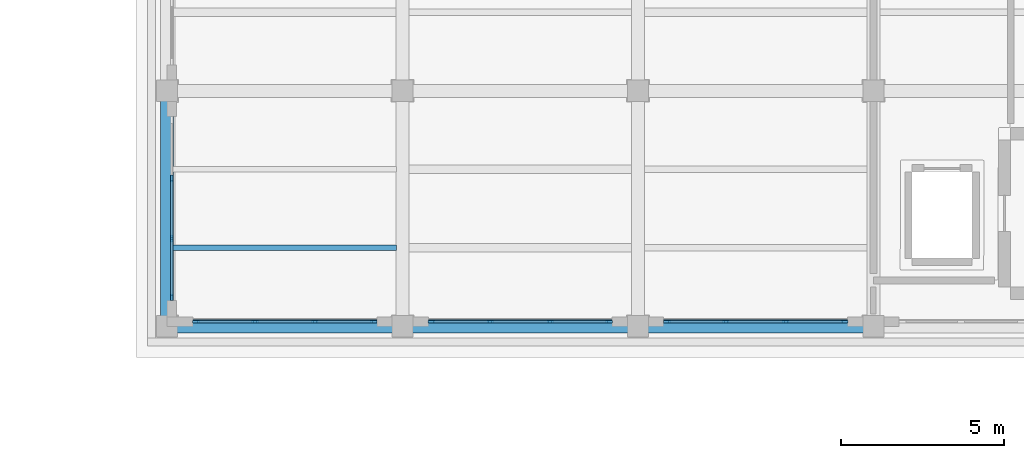
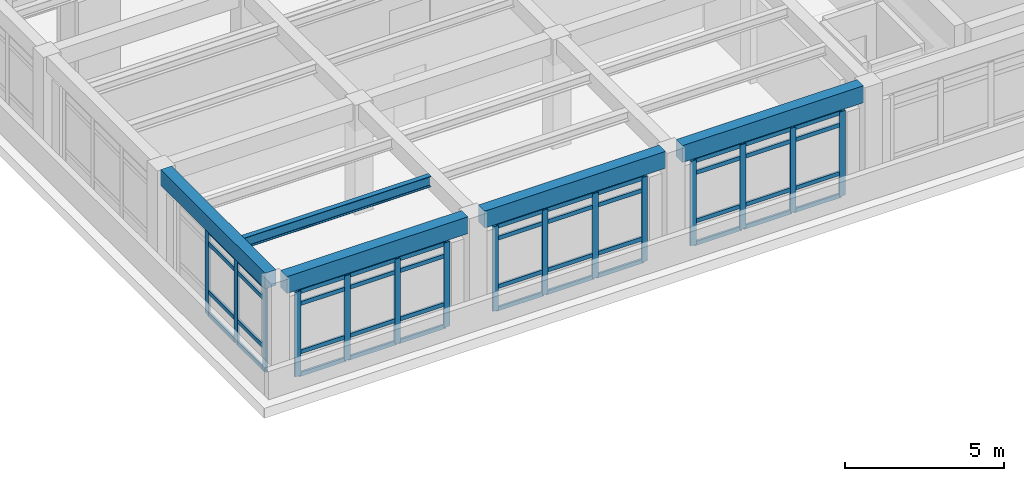
# One storey, part 22 of 55: 59 members, 5 beams, 4 elements without a shape of their own.
"""IFC4 building model written with IfcOpenShell, lengths in metres."""

import ifcopenshell
import ifcopenshell.guid

model = None  # the IFC model being written
_history = None  # IfcOwnerHistory: only IFC2X3 demands one
_inside = {}  # id of a spatial element -> (the spatial element, [elements in it])
_under = {}  # id of a project, library or spatial element -> (it, [spatial elements below it])
_declared = {}  # id of a project -> (the project, [libraries it declares])
_typed = {}  # id of a type object -> (the type object, [elements of that type])
_made_of = {}  # id of a material, layer set ... -> (it, [elements and type objects made of it])


def new_model(schema):
    """Start an empty IFC model of exactly this schema.

    Asked for "IFC4X3", IfcOpenShell would pick the latest addendum, in which some entities
    have other attributes; the version numbers below select the first issue.
    IFC2X3 requires an IfcOwnerHistory on every rooted entity: one is made here for all.
    """
    global model, _history
    if schema == "IFC4X3":
        model = ifcopenshell.file(schema_version=(4, 3, 0, 0))
    else:
        model = ifcopenshell.file(schema=schema)
    _inside.clear()
    _under.clear()
    _declared.clear()
    _typed.clear()
    _made_of.clear()
    _history = None
    if model.schema == "IFC2X3":
        org = make("IfcOrganization", Name="unknown")
        user = make(
            "IfcPersonAndOrganization",
            ThePerson=make("IfcPerson", FamilyName="unknown"),
            TheOrganization=org,
        )
        app = make(
            "IfcApplication",
            ApplicationDeveloper=org,
            Version="unknown",
            ApplicationFullName="unknown",
            ApplicationIdentifier="unknown",
        )
        _history = make(
            "IfcOwnerHistory",
            OwningUser=user,
            OwningApplication=app,
            ChangeAction="ADDED",
            CreationDate=0,
        )
    return model


def make(cls, **values):
    """One entity of the class cls with the attributes given. An attribute that is None is left unset."""
    return model.create_entity(
        cls, **{name: value for name, value in values.items() if value is not None}
    )


def rooted(cls, **values):
    """An entity with a GlobalId (a new one), such as an element, a storey or a relation."""
    return make(cls, GlobalId=ifcopenshell.guid.new(), OwnerHistory=_history, **values)


def si_unit(unit_type, name, prefix=None):
    """IfcSIUnit, for example si_unit("LENGTHUNIT", "METRE", prefix="MILLI")."""
    return make("IfcSIUnit", UnitType=unit_type, Prefix=prefix, Name=name)


def assignment(units):
    """IfcUnitAssignment: the units of a project."""
    return None if units is None else make("IfcUnitAssignment", Units=units)


def point(xyz):
    """IfcCartesianPoint."""
    return None if xyz is None else make("IfcCartesianPoint", Coordinates=xyz)


def direction(xyz):
    """IfcDirection."""
    return None if xyz is None else make("IfcDirection", DirectionRatios=xyz)


def frame(location, z_axis=None, x_axis=None):
    """IfcAxis2Placement3D, a coordinate frame: its origin and axes. An axis left out is left unset."""
    return make(
        "IfcAxis2Placement3D",
        Location=point(location),
        Axis=direction(z_axis),
        RefDirection=direction(x_axis),
    )


def frame_2d(location, x_axis=None):
    """IfcAxis2Placement2D, a coordinate frame in the plane: its origin and x axis."""
    return make(
        "IfcAxis2Placement2D", Location=point(location), RefDirection=direction(x_axis)
    )


def origin():
    """The frame at (0, 0, 0) with its axes left unset."""
    return frame((0.0, 0.0, 0.0))


def origin_2d():
    """The frame at (0, 0) in the plane with its x axis left unset."""
    return frame_2d((0.0, 0.0))


def place(relative_to, where):
    """IfcLocalPlacement: puts the frame where relative to a parent placement (None: the world)."""
    return make(
        "IfcLocalPlacement", PlacementRelTo=relative_to, RelativePlacement=where
    )


def context(
    kind, dimensions, precision=None, world=None, true_north=None, identifier=None
):
    """IfcGeometricRepresentationContext, for example the 3D "Model" context."""
    return make(
        "IfcGeometricRepresentationContext",
        ContextIdentifier=identifier,
        ContextType=kind,
        CoordinateSpaceDimension=dimensions,
        Precision=precision,
        WorldCoordinateSystem=world,
        TrueNorth=true_north,
    )


def subcontext(parent, identifier, kind, view, scale=None):
    """IfcGeometricRepresentationSubContext, for example "Body" below "Model"."""
    return make(
        "IfcGeometricRepresentationSubContext",
        ContextIdentifier=identifier,
        ContextType=kind,
        ParentContext=parent,
        TargetScale=scale,
        TargetView=view,
    )


def project(units=None, contexts=None):
    """IfcProject with its units and contexts."""
    return rooted(
        "IfcProject",
        Name="project",
        RepresentationContexts=contexts,
        UnitsInContext=assignment(units),
    )


def spatial(cls, under=None, at=None, **own):
    """A site, building, storey or space (cls), placed at a placement, below another one or the project."""
    s = rooted(cls, ObjectPlacement=at, **own)
    if under is not None:
        _under.setdefault(under.id(), (under, []))[1].append(s)
    return s


def profile(cls, at=None, kind="AREA", **sizes):
    """A parametric profile (cls). Its sizes go by their IFC names, for example OverallWidth=200.0."""
    return make(cls, ProfileType=kind, Position=at, **sizes)


def rectangle(**sizes):
    """IfcRectangleProfileDef."""
    return profile("IfcRectangleProfileDef", **sizes)


def i_section(**sizes):
    """IfcIShapeProfileDef."""
    return profile("IfcIShapeProfileDef", **sizes)


def extrude(swept, where, along, depth):
    """IfcExtrudedAreaSolid: the profile swept, set in the frame where, extruded along a direction by depth."""
    return make(
        "IfcExtrudedAreaSolid",
        SweptArea=swept,
        Position=where,
        ExtrudedDirection=direction(along),
        Depth=depth,
    )


def shape(context_of_items, identifier, shape_type, items):
    """IfcShapeRepresentation: the items that make up one representation, for example the "Body"."""
    return make(
        "IfcShapeRepresentation",
        ContextOfItems=context_of_items,
        RepresentationIdentifier=identifier,
        RepresentationType=shape_type,
        Items=items,
    )


def material(Name=None, Category=None):
    """IfcMaterial."""
    return make("IfcMaterial", Name=Name, Category=Category)


def layer(
    of_material, thickness, ventilated=None, Name=None, Category=None, Priority=None
):
    """IfcMaterialLayer: one layer of a wall or slab, of a material (None: an air gap)."""
    return make(
        "IfcMaterialLayer",
        Material=of_material,
        LayerThickness=thickness,
        IsVentilated=ventilated,
        Name=Name,
        Category=Category,
        Priority=Priority,
    )


def layer_set(layers, Name=None):
    """IfcMaterialLayerSet."""
    return make("IfcMaterialLayerSet", MaterialLayers=layers, LayerSetName=Name)


def material_profile(
    of_material, cross_section, Name=None, Category=None, Priority=None
):
    """IfcMaterialProfile: a cross section and its material."""
    return make(
        "IfcMaterialProfile",
        Name=Name,
        Material=of_material,
        Profile=cross_section,
        Priority=Priority,
        Category=Category,
    )


def profile_set(profiles, Name=None, composite=None):
    """IfcMaterialProfileSet."""
    return make(
        "IfcMaterialProfileSet",
        Name=Name,
        MaterialProfiles=profiles,
        CompositeProfile=composite,
    )


def made_of(thing, what):
    """Note that an element or type object is made of a material, layer set ...; save() writes the relation."""
    if what is not None:
        _made_of.setdefault(what.id(), (what, []))[1].append(thing)
    return thing


def type_object(cls, material=None, **own):
    """A type object (cls), such as IfcWallType, which elements share."""
    return made_of(rooted(cls, **own), material)


def element(
    cls,
    number,
    at=None,
    inside=None,
    cuts=None,
    type_object=None,
    material=None,
    context=None,
    identifier="Body",
    shape_type=None,
    held_by="IfcProductDefinitionShape",
    body=None,
    shapes=None,
    **own,
):
    """One element of the class cls, such as IfcWall. Its Tag is "e" and its number.

    at: its placement. inside: the storey or other place that contains it. cuts: it is an
    opening in that element (IfcRelVoidsElement). A single representation is given by context,
    identifier, shape_type and body (its items); several are given by shapes. held_by: the class
    of the entity that holds the representations. save() writes the other relations.
    """
    e = rooted(cls, Tag="e%d" % number, ObjectPlacement=at, **own)
    if body is not None:
        shapes = [shape(context, identifier, shape_type, body)]
    if shapes is not None:
        e.Representation = make(held_by, Representations=shapes)
    if inside is not None:
        _inside.setdefault(inside.id(), (inside, []))[1].append(e)
    if cuts is not None:
        rooted(
            "IfcRelVoidsElement", RelatingBuildingElement=cuts, RelatedOpeningElement=e
        )
    if type_object is not None:
        _typed.setdefault(type_object.id(), (type_object, []))[1].append(e)
    return made_of(e, material)


def aggregate(whole, parts):
    """IfcRelAggregates: a whole, such as a stair, and the parts it consists of."""
    return rooted("IfcRelAggregates", RelatingObject=whole, RelatedObjects=parts)


def save(model, path):
    """Write the relations noted so far, then the file.

    IfcRelAggregates (storeys below a building ...), IfcRelContainedInSpatialStructure (elements
    in a storey), IfcRelDefinesByType, IfcRelAssociatesMaterial and IfcRelDeclares: one each for
    every whole, place, type object, material and project.
    """
    for whole, parts in _under.values():
        aggregate(whole, parts)
    for where, things in _inside.values():
        rooted(
            "IfcRelContainedInSpatialStructure",
            RelatedElements=things,
            RelatingStructure=where,
        )
    for kind, things in _typed.values():
        rooted("IfcRelDefinesByType", RelatedObjects=things, RelatingType=kind)
    for what, things in _made_of.values():
        rooted("IfcRelAssociatesMaterial", RelatedObjects=things, RelatingMaterial=what)
    for by, libraries in _declared.values():
        rooted("IfcRelDeclares", RelatingContext=by, RelatedDefinitions=libraries)
    model.write(path)


model = new_model("IFC4")

# Units and contexts
model_context = context("Model", 3, precision=1e-05, world=origin(), true_north=direction((0.0, 1.0)))
body_context = subcontext(model_context, "Body", "Model", "MODEL_VIEW")
ifc_project = project(units=[si_unit("LENGTHUNIT", "METRE"), si_unit("AREAUNIT", "SQUARE_METRE"), si_unit("VOLUMEUNIT", "CUBIC_METRE"), si_unit("PLANEANGLEUNIT", "RADIAN"), si_unit("MASSUNIT", "GRAM", prefix="KILO")], contexts=[model_context])

# Site, building, storey
site_placement = place(None, origin())
site = spatial("IfcSite", under=ifc_project, at=site_placement, CompositionType="ELEMENT")
building_placement = place(site_placement, origin())
building = spatial("IfcBuilding", under=site, at=building_placement, Name="Solenvale Faculty of Natural Sciences", CompositionType="ELEMENT")
storey_placement = place(building_placement, frame((0.0, 0.0, 22.5)))
storey = spatial("IfcBuildingStorey", under=building, at=storey_placement, Name="L05", CompositionType="ELEMENT", Elevation=22.5)

# Beams
ifc_material_1 = material(Name="Concrete 40 MPa", Category="concrete")
ifc_material_profile_1 = material_profile(ifc_material_1, rectangle(XDim=0.39990234375, YDim=0.60009765625, at=origin_2d()), Name="RC-BM-400x600")
ifc_profile_set_1 = profile_set([ifc_material_profile_1], Name="Concrete 40 MPa")
beam_type_1 = type_object("IfcBeamType", Name="BM-RC-400x600", PredefinedType="BEAM", material=ifc_profile_set_1)
beam_1_placement = place(storey_placement, frame((79.199951171875, 93.905029296875, 3.919921875), z_axis=(0.0, 1.0, 0.0), x_axis=(-1.0, 0.0, 0.0)))
element("IfcBeam", 1, at=beam_1_placement, inside=storey, type_object=beam_type_1, Name="L05 Y-Girder X79.2 (93.6..100.8)", PredefinedType="BEAM", context=body_context, shape_type="SweptSolid", body=[
    extrude(rectangle(XDim=0.39990234375, YDim=0.60009765625, at=origin_2d()), origin(), (0.0, 0.0, 1.0), 6.590087890625),
])
ifc_material_profile_2 = material_profile(ifc_material_1, rectangle(XDim=0.39990234375, YDim=0.64990234375, at=origin_2d()), Name="RC-BM-400x650")
ifc_profile_set_2 = profile_set([ifc_material_profile_2], Name="Concrete 40 MPa")
beam_type_2 = type_object("IfcBeamType", Name="BM-RC-400x650", PredefinedType="BEAM", material=ifc_profile_set_2)
beam_2_placement = place(storey_placement, frame((79.5048828125, 93.60009765625, 3.89501953125), z_axis=(1.0, 0.0, 0.0), x_axis=(0.0, 1.0, 0.0)))
element("IfcBeam", 2, at=beam_2_placement, inside=storey, type_object=beam_type_2, Name="L05 X-Girder Y93.6 (79.2..86.4)", PredefinedType="BEAM", context=body_context, shape_type="SweptSolid", body=[
    extrude(rectangle(XDim=0.39990234375, YDim=0.64990234375, at=origin_2d()), origin(), (0.0, 0.0, 1.0), 6.590087890625),
])
beam_3_placement = place(storey_placement, frame((86.705078125, 93.60009765625, 3.89501953125), z_axis=(1.0, 0.0, 0.0), x_axis=(0.0, 1.0, 0.0)))
element("IfcBeam", 3, at=beam_3_placement, inside=storey, type_object=beam_type_2, Name="L05 X-Girder Y93.6 (86.4..93.6)", PredefinedType="BEAM", context=body_context, shape_type="SweptSolid", body=[
    extrude(rectangle(XDim=0.39990234375, YDim=0.64990234375, at=origin_2d()), origin(), (0.0, 0.0, 1.0), 6.58984375),
])
beam_4_placement = place(storey_placement, frame((93.905029296875, 93.60009765625, 3.89501953125), z_axis=(1.0, 0.0, 0.0), x_axis=(0.0, 1.0, 0.0)))
element("IfcBeam", 4, at=beam_4_placement, inside=storey, type_object=beam_type_2, Name="L05 X-Girder Y93.6 (93.6..100.8)", PredefinedType="BEAM", context=body_context, shape_type="SweptSolid", body=[
    extrude(rectangle(XDim=0.39990234375, YDim=0.64990234375, at=origin_2d()), origin(), (0.0, 0.0, 1.0), 6.590087890625),
])
ifc_material_2 = material(Name="Steel S355", Category="steel")
ifc_material_profile_3 = material_profile(ifc_material_2, i_section(OverallWidth=0.178955078125, OverallDepth=0.409912109375, WebThickness=0.0087890625, FlangeThickness=0.014404296875, FilletRadius=0.01611328125, at=origin_2d()), Name="W410x67")
ifc_profile_set_3 = profile_set([ifc_material_profile_3], Name="Steel S355")
beam_type_3 = type_object("IfcBeamType", Name="BM-STL-W410x67", PredefinedType="JOIST", material=ifc_profile_set_3)
beam_5_placement = place(storey_placement, frame((79.3798828125, 96.0, 4.014892578125), z_axis=(1.0, 0.0, 0.0), x_axis=(0.0, 1.0, 0.0)))
element("IfcBeam", 5, at=beam_5_placement, inside=storey, type_object=beam_type_3, Name="L05 Composite Floor Joist (12,14).1", PredefinedType="JOIST", context=body_context, shape_type="SweptSolid", body=[
    extrude(i_section(OverallWidth=0.178955078125, OverallDepth=0.409912109375, WebThickness=0.0087890625, FlangeThickness=0.014404296875, FilletRadius=0.01611328125, at=origin_2d()), origin(), (0.0, 0.0, 1.0), 6.840087890625),
])

# Curtain wall, members
ifc_material_3 = material(Name="Anodised bronze aluminium", Category="aluminium")
ifc_layer = layer(ifc_material_3, 0.179931640625)
ifc_layer_set = layer_set([ifc_layer], Name="Anodised bronze aluminium")
curtain_wall_type = type_object("IfcCurtainWallType", Name="CW-TWR-MOD", PredefinedType="USERDEFINED", material=ifc_layer_set)
curtain_wall_1_placement = place(storey_placement, origin())
curtain_wall_1 = element("IfcCurtainWall", 6, at=curtain_wall_1_placement, inside=storey, type_object=curtain_wall_type, Name="L05 Curtain Wall CW-L05-P2-E4-B3", ObjectType="UNITISED CURTAIN WALL", PredefinedType="USERDEFINED")
ifc_material_profile_4 = material_profile(ifc_material_3, rectangle(XDim=0.074951171875, YDim=0.2099609375, at=origin_2d()), Name="ALU-MUL-75x210")
ifc_profile_set_4 = profile_set([ifc_material_profile_4], Name="Anodised bronze aluminium")
member_type_1 = type_object("IfcMemberType", Name="CWM-ALU-75x210", PredefinedType="MULLION", material=ifc_profile_set_4)
member_1_placement = place(storey_placement, frame((79.342529296875, 98.11669921875, 0.0), z_axis=(0.0, 0.0, 1.0), x_axis=(1.0, 0.0, 0.0)))
member_1 = element("IfcMember", 7, at=member_1_placement, type_object=member_type_1, Name="CW-04 mullion 2", PredefinedType="MULLION", context=body_context, shape_type="SweptSolid", body=[
    extrude(rectangle(XDim=0.074951171875, YDim=0.2099609375, at=origin_2d()), origin(), (0.0, 0.0, 1.0), 3.260009765625),
])
member_2_placement = place(storey_placement, frame((79.342529296875, 96.283447265625, 0.0), z_axis=(0.0, 0.0, 1.0), x_axis=(1.0, 0.0, 0.0)))
member_2 = element("IfcMember", 8, at=member_2_placement, type_object=member_type_1, Name="CW-04 mullion 3", PredefinedType="MULLION", context=body_context, shape_type="SweptSolid", body=[
    extrude(rectangle(XDim=0.074951171875, YDim=0.2099609375, at=origin_2d()), origin(), (0.0, 0.0, 1.0), 3.260009765625),
])
member_3_placement = place(storey_placement, frame((79.342529296875, 94.487548828125, 0.0), z_axis=(0.0, 0.0, 1.0), x_axis=(1.0, 0.0, 0.0)))
member_3 = element("IfcMember", 9, at=member_3_placement, type_object=member_type_1, Name="CW-04 mullion 4", PredefinedType="MULLION", context=body_context, shape_type="SweptSolid", body=[
    extrude(rectangle(XDim=0.074951171875, YDim=0.2099609375, at=origin_2d()), origin(), (0.0, 0.0, 1.0), 3.260009765625),
])

curtain_wall_2_placement = place(storey_placement, origin())
curtain_wall_2 = element("IfcCurtainWall", 10, at=curtain_wall_2_placement, inside=storey, type_object=curtain_wall_type, Name="L05 Curtain Wall CW-L05-P2-E5-B1", ObjectType="UNITISED CURTAIN WALL", PredefinedType="USERDEFINED")
member_4_placement = place(storey_placement, frame((80.08740234375, 93.742431640625, 0.0), z_axis=(0.0, 0.0, 1.0), x_axis=(0.0, 1.0, 0.0)))
member_4 = element("IfcMember", 11, at=member_4_placement, type_object=member_type_1, Name="CW-04 mullion 1", PredefinedType="MULLION", context=body_context, shape_type="SweptSolid", body=[
    extrude(rectangle(XDim=0.074951171875, YDim=0.2099609375, at=origin_2d()), origin(), (0.0, 0.0, 1.0), 3.260009765625),
])
member_5_placement = place(storey_placement, frame((81.88330078125, 93.742431640625, 0.0), z_axis=(0.0, 0.0, 1.0), x_axis=(0.0, 1.0, 0.0)))
member_5 = element("IfcMember", 12, at=member_5_placement, type_object=member_type_1, Name="CW-04 mullion 2", PredefinedType="MULLION", context=body_context, shape_type="SweptSolid", body=[
    extrude(rectangle(XDim=0.074951171875, YDim=0.2099609375, at=origin_2d()), origin(), (0.0, 0.0, 1.0), 3.260009765625),
])
member_6_placement = place(storey_placement, frame((83.716552734375, 93.742431640625, 0.0), z_axis=(0.0, 0.0, 1.0), x_axis=(0.0, 1.0, 0.0)))
member_6 = element("IfcMember", 13, at=member_6_placement, type_object=member_type_1, Name="CW-04 mullion 3", PredefinedType="MULLION", context=body_context, shape_type="SweptSolid", body=[
    extrude(rectangle(XDim=0.074951171875, YDim=0.2099609375, at=origin_2d()), origin(), (0.0, 0.0, 1.0), 3.260009765625),
])
member_7_placement = place(storey_placement, frame((85.512451171875, 93.742431640625, 0.0), z_axis=(0.0, 0.0, 1.0), x_axis=(0.0, 1.0, 0.0)))
member_7 = element("IfcMember", 14, at=member_7_placement, type_object=member_type_1, Name="CW-04 mullion 4", PredefinedType="MULLION", context=body_context, shape_type="SweptSolid", body=[
    extrude(rectangle(XDim=0.074951171875, YDim=0.2099609375, at=origin_2d()), origin(), (0.0, 0.0, 1.0), 3.260009765625),
])

curtain_wall_3_placement = place(storey_placement, origin())
curtain_wall_3 = element("IfcCurtainWall", 15, at=curtain_wall_3_placement, inside=storey, type_object=curtain_wall_type, Name="L05 Curtain Wall CW-L05-P2-E5-B2", ObjectType="UNITISED CURTAIN WALL", PredefinedType="USERDEFINED")
member_8_placement = place(storey_placement, frame((87.28759765625, 93.742431640625, 0.0), z_axis=(0.0, 0.0, 1.0), x_axis=(0.0, 1.0, 0.0)))
member_8 = element("IfcMember", 16, at=member_8_placement, type_object=member_type_1, Name="CW-04 mullion 1", PredefinedType="MULLION", context=body_context, shape_type="SweptSolid", body=[
    extrude(rectangle(XDim=0.074951171875, YDim=0.2099609375, at=origin_2d()), origin(), (0.0, 0.0, 1.0), 3.260009765625),
])
member_9_placement = place(storey_placement, frame((89.083251953125, 93.742431640625, 0.0), z_axis=(0.0, 0.0, 1.0), x_axis=(0.0, 1.0, 0.0)))
member_9 = element("IfcMember", 17, at=member_9_placement, type_object=member_type_1, Name="CW-04 mullion 2", PredefinedType="MULLION", context=body_context, shape_type="SweptSolid", body=[
    extrude(rectangle(XDim=0.074951171875, YDim=0.2099609375, at=origin_2d()), origin(), (0.0, 0.0, 1.0), 3.260009765625),
])
member_10_placement = place(storey_placement, frame((90.916748046875, 93.742431640625, 0.0), z_axis=(0.0, 0.0, 1.0), x_axis=(0.0, 1.0, 0.0)))
member_10 = element("IfcMember", 18, at=member_10_placement, type_object=member_type_1, Name="CW-04 mullion 3", PredefinedType="MULLION", context=body_context, shape_type="SweptSolid", body=[
    extrude(rectangle(XDim=0.074951171875, YDim=0.2099609375, at=origin_2d()), origin(), (0.0, 0.0, 1.0), 3.260009765625),
])
member_11_placement = place(storey_placement, frame((92.71240234375, 93.742431640625, 0.0), z_axis=(0.0, 0.0, 1.0), x_axis=(0.0, 1.0, 0.0)))
member_11 = element("IfcMember", 19, at=member_11_placement, type_object=member_type_1, Name="CW-04 mullion 4", PredefinedType="MULLION", context=body_context, shape_type="SweptSolid", body=[
    extrude(rectangle(XDim=0.074951171875, YDim=0.2099609375, at=origin_2d()), origin(), (0.0, 0.0, 1.0), 3.260009765625),
])

curtain_wall_4_placement = place(storey_placement, origin())
curtain_wall_4 = element("IfcCurtainWall", 20, at=curtain_wall_4_placement, inside=storey, type_object=curtain_wall_type, Name="L05 Curtain Wall CW-L05-P2-E5-B3", ObjectType="UNITISED CURTAIN WALL", PredefinedType="USERDEFINED")
member_12_placement = place(storey_placement, frame((94.487548828125, 93.742431640625, 0.0), z_axis=(0.0, 0.0, 1.0), x_axis=(0.0, 1.0, 0.0)))
member_12 = element("IfcMember", 21, at=member_12_placement, type_object=member_type_1, Name="CW-04 mullion 1", PredefinedType="MULLION", context=body_context, shape_type="SweptSolid", body=[
    extrude(rectangle(XDim=0.074951171875, YDim=0.2099609375, at=origin_2d()), origin(), (0.0, 0.0, 1.0), 3.260009765625),
])
member_13_placement = place(storey_placement, frame((96.283447265625, 93.742431640625, 0.0), z_axis=(0.0, 0.0, 1.0), x_axis=(0.0, 1.0, 0.0)))
member_13 = element("IfcMember", 22, at=member_13_placement, type_object=member_type_1, Name="CW-04 mullion 2", PredefinedType="MULLION", context=body_context, shape_type="SweptSolid", body=[
    extrude(rectangle(XDim=0.074951171875, YDim=0.2099609375, at=origin_2d()), origin(), (0.0, 0.0, 1.0), 3.260009765625),
])
member_14_placement = place(storey_placement, frame((98.11669921875, 93.742431640625, 0.0), z_axis=(0.0, 0.0, 1.0), x_axis=(0.0, 1.0, 0.0)))
member_14 = element("IfcMember", 23, at=member_14_placement, type_object=member_type_1, Name="CW-04 mullion 3", PredefinedType="MULLION", context=body_context, shape_type="SweptSolid", body=[
    extrude(rectangle(XDim=0.074951171875, YDim=0.2099609375, at=origin_2d()), origin(), (0.0, 0.0, 1.0), 3.260009765625),
])
member_15_placement = place(storey_placement, frame((99.91259765625, 93.742431640625, 0.0), z_axis=(0.0, 0.0, 1.0), x_axis=(0.0, 1.0, 0.0)))
member_15 = element("IfcMember", 24, at=member_15_placement, type_object=member_type_1, Name="CW-04 mullion 4", PredefinedType="MULLION", context=body_context, shape_type="SweptSolid", body=[
    extrude(rectangle(XDim=0.074951171875, YDim=0.2099609375, at=origin_2d()), origin(), (0.0, 0.0, 1.0), 3.260009765625),
])

# Member
ifc_material_profile_5 = material_profile(ifc_material_3, rectangle(XDim=0.074951171875, YDim=0.155029296875, at=origin_2d()), Name="ALU-TRN-75x155")
ifc_profile_set_5 = profile_set([ifc_material_profile_5], Name="Anodised bronze aluminium")
member_type_2 = type_object("IfcMemberType", Name="CWT-ALU-75x155", PredefinedType="USERDEFINED", material=ifc_profile_set_5)
member_16_placement = place(storey_placement, frame((79.342529296875, 98.0791015625, 0.03759765625), z_axis=(0.0, -1.0, 0.0), x_axis=(1.0, 0.0, 0.0)))
member_16 = element("IfcMember", 25, at=member_16_placement, type_object=member_type_2, Name="CW-04 transom 2.1", ObjectType="TRANSOM", PredefinedType="USERDEFINED", context=body_context, shape_type="SweptSolid", body=[
    extrude(rectangle(XDim=0.074951171875, YDim=0.155029296875, at=origin_2d()), origin(), (0.0, 0.0, 1.0), 1.75830078125),
])

member_17_placement = place(storey_placement, frame((79.342529296875, 98.0791015625, 0.89990234375), z_axis=(0.0, -1.0, 0.0), x_axis=(1.0, 0.0, 0.0)))
member_17 = element("IfcMember", 26, at=member_17_placement, type_object=member_type_2, Name="CW-04 transom 2.2", ObjectType="TRANSOM", PredefinedType="USERDEFINED", context=body_context, shape_type="SweptSolid", body=[
    extrude(rectangle(XDim=0.074951171875, YDim=0.155029296875, at=origin_2d()), origin(), (0.0, 0.0, 1.0), 1.75830078125),
])

member_18_placement = place(storey_placement, frame((79.342529296875, 98.0791015625, 2.760009765625), z_axis=(0.0, -1.0, 0.0), x_axis=(1.0, 0.0, 0.0)))
member_18 = element("IfcMember", 27, at=member_18_placement, type_object=member_type_2, Name="CW-04 transom 2.3", ObjectType="TRANSOM", PredefinedType="USERDEFINED", context=body_context, shape_type="SweptSolid", body=[
    extrude(rectangle(XDim=0.074951171875, YDim=0.155029296875, at=origin_2d()), origin(), (0.0, 0.0, 1.0), 1.75830078125),
])

member_19_placement = place(storey_placement, frame((79.342529296875, 98.0791015625, 3.222412109375), z_axis=(0.0, -1.0, 0.0), x_axis=(1.0, 0.0, 0.0)))
member_19 = element("IfcMember", 28, at=member_19_placement, type_object=member_type_2, Name="CW-04 transom 2.4", ObjectType="TRANSOM", PredefinedType="USERDEFINED", context=body_context, shape_type="SweptSolid", body=[
    extrude(rectangle(XDim=0.074951171875, YDim=0.155029296875, at=origin_2d()), origin(), (0.0, 0.0, 1.0), 1.75830078125),
])

member_20_placement = place(storey_placement, frame((79.342529296875, 96.245849609375, 0.03759765625), z_axis=(0.0, -1.0, 0.0), x_axis=(1.0, 0.0, 0.0)))
member_20 = element("IfcMember", 29, at=member_20_placement, type_object=member_type_2, Name="CW-04 transom 3.1", ObjectType="TRANSOM", PredefinedType="USERDEFINED", context=body_context, shape_type="SweptSolid", body=[
    extrude(rectangle(XDim=0.074951171875, YDim=0.155029296875, at=origin_2d()), origin(), (0.0, 0.0, 1.0), 1.720947265625),
])

member_21_placement = place(storey_placement, frame((79.342529296875, 96.245849609375, 0.89990234375), z_axis=(0.0, -1.0, 0.0), x_axis=(1.0, 0.0, 0.0)))
member_21 = element("IfcMember", 30, at=member_21_placement, type_object=member_type_2, Name="CW-04 transom 3.2", ObjectType="TRANSOM", PredefinedType="USERDEFINED", context=body_context, shape_type="SweptSolid", body=[
    extrude(rectangle(XDim=0.074951171875, YDim=0.155029296875, at=origin_2d()), origin(), (0.0, 0.0, 1.0), 1.720947265625),
])

member_22_placement = place(storey_placement, frame((79.342529296875, 96.245849609375, 2.760009765625), z_axis=(0.0, -1.0, 0.0), x_axis=(1.0, 0.0, 0.0)))
member_22 = element("IfcMember", 31, at=member_22_placement, type_object=member_type_2, Name="CW-04 transom 3.3", ObjectType="TRANSOM", PredefinedType="USERDEFINED", context=body_context, shape_type="SweptSolid", body=[
    extrude(rectangle(XDim=0.074951171875, YDim=0.155029296875, at=origin_2d()), origin(), (0.0, 0.0, 1.0), 1.720947265625),
])

member_23_placement = place(storey_placement, frame((79.342529296875, 96.245849609375, 3.222412109375), z_axis=(0.0, -1.0, 0.0), x_axis=(1.0, 0.0, 0.0)))
member_23 = element("IfcMember", 32, at=member_23_placement, type_object=member_type_2, Name="CW-04 transom 3.4", ObjectType="TRANSOM", PredefinedType="USERDEFINED", context=body_context, shape_type="SweptSolid", body=[
    extrude(rectangle(XDim=0.074951171875, YDim=0.155029296875, at=origin_2d()), origin(), (0.0, 0.0, 1.0), 1.720947265625),
])

aggregate(curtain_wall_1, [member_1, member_2, member_3, member_16, member_17, member_18, member_19, member_20, member_21, member_22, member_23])

member_24_placement = place(storey_placement, frame((80.125, 93.742431640625, 0.03759765625), z_axis=(1.0, 0.0, 0.0), x_axis=(0.0, 1.0, 0.0)))
member_24 = element("IfcMember", 33, at=member_24_placement, type_object=member_type_2, Name="CW-04 transom 1.1", ObjectType="TRANSOM", PredefinedType="USERDEFINED", context=body_context, shape_type="SweptSolid", body=[
    extrude(rectangle(XDim=0.074951171875, YDim=0.155029296875, at=origin_2d()), origin(), (0.0, 0.0, 1.0), 1.720947265625),
])

member_25_placement = place(storey_placement, frame((80.125, 93.742431640625, 0.89990234375), z_axis=(1.0, 0.0, 0.0), x_axis=(0.0, 1.0, 0.0)))
member_25 = element("IfcMember", 34, at=member_25_placement, type_object=member_type_2, Name="CW-04 transom 1.2", ObjectType="TRANSOM", PredefinedType="USERDEFINED", context=body_context, shape_type="SweptSolid", body=[
    extrude(rectangle(XDim=0.074951171875, YDim=0.155029296875, at=origin_2d()), origin(), (0.0, 0.0, 1.0), 1.720947265625),
])

member_26_placement = place(storey_placement, frame((80.125, 93.742431640625, 2.760009765625), z_axis=(1.0, 0.0, 0.0), x_axis=(0.0, 1.0, 0.0)))
member_26 = element("IfcMember", 35, at=member_26_placement, type_object=member_type_2, Name="CW-04 transom 1.3", ObjectType="TRANSOM", PredefinedType="USERDEFINED", context=body_context, shape_type="SweptSolid", body=[
    extrude(rectangle(XDim=0.074951171875, YDim=0.155029296875, at=origin_2d()), origin(), (0.0, 0.0, 1.0), 1.720947265625),
])

member_27_placement = place(storey_placement, frame((80.125, 93.742431640625, 3.222412109375), z_axis=(1.0, 0.0, 0.0), x_axis=(0.0, 1.0, 0.0)))
member_27 = element("IfcMember", 36, at=member_27_placement, type_object=member_type_2, Name="CW-04 transom 1.4", ObjectType="TRANSOM", PredefinedType="USERDEFINED", context=body_context, shape_type="SweptSolid", body=[
    extrude(rectangle(XDim=0.074951171875, YDim=0.155029296875, at=origin_2d()), origin(), (0.0, 0.0, 1.0), 1.720947265625),
])

member_28_placement = place(storey_placement, frame((81.9208984375, 93.742431640625, 0.03759765625), z_axis=(1.0, 0.0, 0.0), x_axis=(0.0, 1.0, 0.0)))
member_28 = element("IfcMember", 37, at=member_28_placement, type_object=member_type_2, Name="CW-04 transom 2.1", ObjectType="TRANSOM", PredefinedType="USERDEFINED", context=body_context, shape_type="SweptSolid", body=[
    extrude(rectangle(XDim=0.074951171875, YDim=0.155029296875, at=origin_2d()), origin(), (0.0, 0.0, 1.0), 1.75830078125),
])

member_29_placement = place(storey_placement, frame((81.9208984375, 93.742431640625, 0.89990234375), z_axis=(1.0, 0.0, 0.0), x_axis=(0.0, 1.0, 0.0)))
member_29 = element("IfcMember", 38, at=member_29_placement, type_object=member_type_2, Name="CW-04 transom 2.2", ObjectType="TRANSOM", PredefinedType="USERDEFINED", context=body_context, shape_type="SweptSolid", body=[
    extrude(rectangle(XDim=0.074951171875, YDim=0.155029296875, at=origin_2d()), origin(), (0.0, 0.0, 1.0), 1.75830078125),
])

member_30_placement = place(storey_placement, frame((81.9208984375, 93.742431640625, 2.760009765625), z_axis=(1.0, 0.0, 0.0), x_axis=(0.0, 1.0, 0.0)))
member_30 = element("IfcMember", 39, at=member_30_placement, type_object=member_type_2, Name="CW-04 transom 2.3", ObjectType="TRANSOM", PredefinedType="USERDEFINED", context=body_context, shape_type="SweptSolid", body=[
    extrude(rectangle(XDim=0.074951171875, YDim=0.155029296875, at=origin_2d()), origin(), (0.0, 0.0, 1.0), 1.75830078125),
])

member_31_placement = place(storey_placement, frame((81.9208984375, 93.742431640625, 3.222412109375), z_axis=(1.0, 0.0, 0.0), x_axis=(0.0, 1.0, 0.0)))
member_31 = element("IfcMember", 40, at=member_31_placement, type_object=member_type_2, Name="CW-04 transom 2.4", ObjectType="TRANSOM", PredefinedType="USERDEFINED", context=body_context, shape_type="SweptSolid", body=[
    extrude(rectangle(XDim=0.074951171875, YDim=0.155029296875, at=origin_2d()), origin(), (0.0, 0.0, 1.0), 1.75830078125),
])

member_32_placement = place(storey_placement, frame((83.754150390625, 93.742431640625, 0.03759765625), z_axis=(1.0, 0.0, 0.0), x_axis=(0.0, 1.0, 0.0)))
member_32 = element("IfcMember", 41, at=member_32_placement, type_object=member_type_2, Name="CW-04 transom 3.1", ObjectType="TRANSOM", PredefinedType="USERDEFINED", context=body_context, shape_type="SweptSolid", body=[
    extrude(rectangle(XDim=0.074951171875, YDim=0.155029296875, at=origin_2d()), origin(), (0.0, 0.0, 1.0), 1.720947265625),
])

member_33_placement = place(storey_placement, frame((83.754150390625, 93.742431640625, 0.89990234375), z_axis=(1.0, 0.0, 0.0), x_axis=(0.0, 1.0, 0.0)))
member_33 = element("IfcMember", 42, at=member_33_placement, type_object=member_type_2, Name="CW-04 transom 3.2", ObjectType="TRANSOM", PredefinedType="USERDEFINED", context=body_context, shape_type="SweptSolid", body=[
    extrude(rectangle(XDim=0.074951171875, YDim=0.155029296875, at=origin_2d()), origin(), (0.0, 0.0, 1.0), 1.720947265625),
])

member_34_placement = place(storey_placement, frame((83.754150390625, 93.742431640625, 2.760009765625), z_axis=(1.0, 0.0, 0.0), x_axis=(0.0, 1.0, 0.0)))
member_34 = element("IfcMember", 43, at=member_34_placement, type_object=member_type_2, Name="CW-04 transom 3.3", ObjectType="TRANSOM", PredefinedType="USERDEFINED", context=body_context, shape_type="SweptSolid", body=[
    extrude(rectangle(XDim=0.074951171875, YDim=0.155029296875, at=origin_2d()), origin(), (0.0, 0.0, 1.0), 1.720947265625),
])

member_35_placement = place(storey_placement, frame((83.754150390625, 93.742431640625, 3.222412109375), z_axis=(1.0, 0.0, 0.0), x_axis=(0.0, 1.0, 0.0)))
member_35 = element("IfcMember", 44, at=member_35_placement, type_object=member_type_2, Name="CW-04 transom 3.4", ObjectType="TRANSOM", PredefinedType="USERDEFINED", context=body_context, shape_type="SweptSolid", body=[
    extrude(rectangle(XDim=0.074951171875, YDim=0.155029296875, at=origin_2d()), origin(), (0.0, 0.0, 1.0), 1.720947265625),
])

aggregate(curtain_wall_2, [member_4, member_5, member_6, member_7, member_24, member_25, member_26, member_27, member_28, member_29, member_30, member_31, member_32, member_33, member_34, member_35])

member_36_placement = place(storey_placement, frame((87.324951171875, 93.742431640625, 0.03759765625), z_axis=(1.0, 0.0, 0.0), x_axis=(0.0, 1.0, 0.0)))
member_36 = element("IfcMember", 45, at=member_36_placement, type_object=member_type_2, Name="CW-04 transom 1.1", ObjectType="TRANSOM", PredefinedType="USERDEFINED", context=body_context, shape_type="SweptSolid", body=[
    extrude(rectangle(XDim=0.074951171875, YDim=0.155029296875, at=origin_2d()), origin(), (0.0, 0.0, 1.0), 1.720947265625),
])

member_37_placement = place(storey_placement, frame((87.324951171875, 93.742431640625, 0.89990234375), z_axis=(1.0, 0.0, 0.0), x_axis=(0.0, 1.0, 0.0)))
member_37 = element("IfcMember", 46, at=member_37_placement, type_object=member_type_2, Name="CW-04 transom 1.2", ObjectType="TRANSOM", PredefinedType="USERDEFINED", context=body_context, shape_type="SweptSolid", body=[
    extrude(rectangle(XDim=0.074951171875, YDim=0.155029296875, at=origin_2d()), origin(), (0.0, 0.0, 1.0), 1.720947265625),
])

member_38_placement = place(storey_placement, frame((87.324951171875, 93.742431640625, 2.760009765625), z_axis=(1.0, 0.0, 0.0), x_axis=(0.0, 1.0, 0.0)))
member_38 = element("IfcMember", 47, at=member_38_placement, type_object=member_type_2, Name="CW-04 transom 1.3", ObjectType="TRANSOM", PredefinedType="USERDEFINED", context=body_context, shape_type="SweptSolid", body=[
    extrude(rectangle(XDim=0.074951171875, YDim=0.155029296875, at=origin_2d()), origin(), (0.0, 0.0, 1.0), 1.720947265625),
])

member_39_placement = place(storey_placement, frame((87.324951171875, 93.742431640625, 3.222412109375), z_axis=(1.0, 0.0, 0.0), x_axis=(0.0, 1.0, 0.0)))
member_39 = element("IfcMember", 48, at=member_39_placement, type_object=member_type_2, Name="CW-04 transom 1.4", ObjectType="TRANSOM", PredefinedType="USERDEFINED", context=body_context, shape_type="SweptSolid", body=[
    extrude(rectangle(XDim=0.074951171875, YDim=0.155029296875, at=origin_2d()), origin(), (0.0, 0.0, 1.0), 1.720947265625),
])

member_40_placement = place(storey_placement, frame((89.120849609375, 93.742431640625, 0.03759765625), z_axis=(1.0, 0.0, 0.0), x_axis=(0.0, 1.0, 0.0)))
member_40 = element("IfcMember", 49, at=member_40_placement, type_object=member_type_2, Name="CW-04 transom 2.1", ObjectType="TRANSOM", PredefinedType="USERDEFINED", context=body_context, shape_type="SweptSolid", body=[
    extrude(rectangle(XDim=0.074951171875, YDim=0.155029296875, at=origin_2d()), origin(), (0.0, 0.0, 1.0), 1.75830078125),
])

member_41_placement = place(storey_placement, frame((89.120849609375, 93.742431640625, 0.89990234375), z_axis=(1.0, 0.0, 0.0), x_axis=(0.0, 1.0, 0.0)))
member_41 = element("IfcMember", 50, at=member_41_placement, type_object=member_type_2, Name="CW-04 transom 2.2", ObjectType="TRANSOM", PredefinedType="USERDEFINED", context=body_context, shape_type="SweptSolid", body=[
    extrude(rectangle(XDim=0.074951171875, YDim=0.155029296875, at=origin_2d()), origin(), (0.0, 0.0, 1.0), 1.75830078125),
])

member_42_placement = place(storey_placement, frame((89.120849609375, 93.742431640625, 2.760009765625), z_axis=(1.0, 0.0, 0.0), x_axis=(0.0, 1.0, 0.0)))
member_42 = element("IfcMember", 51, at=member_42_placement, type_object=member_type_2, Name="CW-04 transom 2.3", ObjectType="TRANSOM", PredefinedType="USERDEFINED", context=body_context, shape_type="SweptSolid", body=[
    extrude(rectangle(XDim=0.074951171875, YDim=0.155029296875, at=origin_2d()), origin(), (0.0, 0.0, 1.0), 1.75830078125),
])

member_43_placement = place(storey_placement, frame((89.120849609375, 93.742431640625, 3.222412109375), z_axis=(1.0, 0.0, 0.0), x_axis=(0.0, 1.0, 0.0)))
member_43 = element("IfcMember", 52, at=member_43_placement, type_object=member_type_2, Name="CW-04 transom 2.4", ObjectType="TRANSOM", PredefinedType="USERDEFINED", context=body_context, shape_type="SweptSolid", body=[
    extrude(rectangle(XDim=0.074951171875, YDim=0.155029296875, at=origin_2d()), origin(), (0.0, 0.0, 1.0), 1.75830078125),
])

member_44_placement = place(storey_placement, frame((90.9541015625, 93.742431640625, 0.03759765625), z_axis=(1.0, 0.0, 0.0), x_axis=(0.0, 1.0, 0.0)))
member_44 = element("IfcMember", 53, at=member_44_placement, type_object=member_type_2, Name="CW-04 transom 3.1", ObjectType="TRANSOM", PredefinedType="USERDEFINED", context=body_context, shape_type="SweptSolid", body=[
    extrude(rectangle(XDim=0.074951171875, YDim=0.155029296875, at=origin_2d()), origin(), (0.0, 0.0, 1.0), 1.720947265625),
])

member_45_placement = place(storey_placement, frame((90.9541015625, 93.742431640625, 0.89990234375), z_axis=(1.0, 0.0, 0.0), x_axis=(0.0, 1.0, 0.0)))
member_45 = element("IfcMember", 54, at=member_45_placement, type_object=member_type_2, Name="CW-04 transom 3.2", ObjectType="TRANSOM", PredefinedType="USERDEFINED", context=body_context, shape_type="SweptSolid", body=[
    extrude(rectangle(XDim=0.074951171875, YDim=0.155029296875, at=origin_2d()), origin(), (0.0, 0.0, 1.0), 1.720947265625),
])

member_46_placement = place(storey_placement, frame((90.9541015625, 93.742431640625, 2.760009765625), z_axis=(1.0, 0.0, 0.0), x_axis=(0.0, 1.0, 0.0)))
member_46 = element("IfcMember", 55, at=member_46_placement, type_object=member_type_2, Name="CW-04 transom 3.3", ObjectType="TRANSOM", PredefinedType="USERDEFINED", context=body_context, shape_type="SweptSolid", body=[
    extrude(rectangle(XDim=0.074951171875, YDim=0.155029296875, at=origin_2d()), origin(), (0.0, 0.0, 1.0), 1.720947265625),
])

member_47_placement = place(storey_placement, frame((90.9541015625, 93.742431640625, 3.222412109375), z_axis=(1.0, 0.0, 0.0), x_axis=(0.0, 1.0, 0.0)))
member_47 = element("IfcMember", 56, at=member_47_placement, type_object=member_type_2, Name="CW-04 transom 3.4", ObjectType="TRANSOM", PredefinedType="USERDEFINED", context=body_context, shape_type="SweptSolid", body=[
    extrude(rectangle(XDim=0.074951171875, YDim=0.155029296875, at=origin_2d()), origin(), (0.0, 0.0, 1.0), 1.720947265625),
])

aggregate(curtain_wall_3, [member_8, member_9, member_10, member_11, member_36, member_37, member_38, member_39, member_40, member_41, member_42, member_43, member_44, member_45, member_46, member_47])

member_48_placement = place(storey_placement, frame((94.52490234375, 93.742431640625, 0.03759765625), z_axis=(1.0, 0.0, 0.0), x_axis=(0.0, 1.0, 0.0)))
member_48 = element("IfcMember", 57, at=member_48_placement, type_object=member_type_2, Name="CW-04 transom 1.1", ObjectType="TRANSOM", PredefinedType="USERDEFINED", context=body_context, shape_type="SweptSolid", body=[
    extrude(rectangle(XDim=0.074951171875, YDim=0.155029296875, at=origin_2d()), origin(), (0.0, 0.0, 1.0), 1.720947265625),
])

member_49_placement = place(storey_placement, frame((94.52490234375, 93.742431640625, 0.89990234375), z_axis=(1.0, 0.0, 0.0), x_axis=(0.0, 1.0, 0.0)))
member_49 = element("IfcMember", 58, at=member_49_placement, type_object=member_type_2, Name="CW-04 transom 1.2", ObjectType="TRANSOM", PredefinedType="USERDEFINED", context=body_context, shape_type="SweptSolid", body=[
    extrude(rectangle(XDim=0.074951171875, YDim=0.155029296875, at=origin_2d()), origin(), (0.0, 0.0, 1.0), 1.720947265625),
])

member_50_placement = place(storey_placement, frame((94.52490234375, 93.742431640625, 2.760009765625), z_axis=(1.0, 0.0, 0.0), x_axis=(0.0, 1.0, 0.0)))
member_50 = element("IfcMember", 59, at=member_50_placement, type_object=member_type_2, Name="CW-04 transom 1.3", ObjectType="TRANSOM", PredefinedType="USERDEFINED", context=body_context, shape_type="SweptSolid", body=[
    extrude(rectangle(XDim=0.074951171875, YDim=0.155029296875, at=origin_2d()), origin(), (0.0, 0.0, 1.0), 1.720947265625),
])

member_51_placement = place(storey_placement, frame((94.52490234375, 93.742431640625, 3.222412109375), z_axis=(1.0, 0.0, 0.0), x_axis=(0.0, 1.0, 0.0)))
member_51 = element("IfcMember", 60, at=member_51_placement, type_object=member_type_2, Name="CW-04 transom 1.4", ObjectType="TRANSOM", PredefinedType="USERDEFINED", context=body_context, shape_type="SweptSolid", body=[
    extrude(rectangle(XDim=0.074951171875, YDim=0.155029296875, at=origin_2d()), origin(), (0.0, 0.0, 1.0), 1.720947265625),
])

member_52_placement = place(storey_placement, frame((96.32080078125, 93.742431640625, 0.03759765625), z_axis=(1.0, 0.0, 0.0), x_axis=(0.0, 1.0, 0.0)))
member_52 = element("IfcMember", 61, at=member_52_placement, type_object=member_type_2, Name="CW-04 transom 2.1", ObjectType="TRANSOM", PredefinedType="USERDEFINED", context=body_context, shape_type="SweptSolid", body=[
    extrude(rectangle(XDim=0.074951171875, YDim=0.155029296875, at=origin_2d()), origin(), (0.0, 0.0, 1.0), 1.75830078125),
])

member_53_placement = place(storey_placement, frame((96.32080078125, 93.742431640625, 0.89990234375), z_axis=(1.0, 0.0, 0.0), x_axis=(0.0, 1.0, 0.0)))
member_53 = element("IfcMember", 62, at=member_53_placement, type_object=member_type_2, Name="CW-04 transom 2.2", ObjectType="TRANSOM", PredefinedType="USERDEFINED", context=body_context, shape_type="SweptSolid", body=[
    extrude(rectangle(XDim=0.074951171875, YDim=0.155029296875, at=origin_2d()), origin(), (0.0, 0.0, 1.0), 1.75830078125),
])

member_54_placement = place(storey_placement, frame((96.32080078125, 93.742431640625, 2.760009765625), z_axis=(1.0, 0.0, 0.0), x_axis=(0.0, 1.0, 0.0)))
member_54 = element("IfcMember", 63, at=member_54_placement, type_object=member_type_2, Name="CW-04 transom 2.3", ObjectType="TRANSOM", PredefinedType="USERDEFINED", context=body_context, shape_type="SweptSolid", body=[
    extrude(rectangle(XDim=0.074951171875, YDim=0.155029296875, at=origin_2d()), origin(), (0.0, 0.0, 1.0), 1.75830078125),
])

member_55_placement = place(storey_placement, frame((96.32080078125, 93.742431640625, 3.222412109375), z_axis=(1.0, 0.0, 0.0), x_axis=(0.0, 1.0, 0.0)))
member_55 = element("IfcMember", 64, at=member_55_placement, type_object=member_type_2, Name="CW-04 transom 2.4", ObjectType="TRANSOM", PredefinedType="USERDEFINED", context=body_context, shape_type="SweptSolid", body=[
    extrude(rectangle(XDim=0.074951171875, YDim=0.155029296875, at=origin_2d()), origin(), (0.0, 0.0, 1.0), 1.75830078125),
])

member_56_placement = place(storey_placement, frame((98.154052734375, 93.742431640625, 0.03759765625), z_axis=(1.0, 0.0, 0.0), x_axis=(0.0, 1.0, 0.0)))
member_56 = element("IfcMember", 65, at=member_56_placement, type_object=member_type_2, Name="CW-04 transom 3.1", ObjectType="TRANSOM", PredefinedType="USERDEFINED", context=body_context, shape_type="SweptSolid", body=[
    extrude(rectangle(XDim=0.074951171875, YDim=0.155029296875, at=origin_2d()), origin(), (0.0, 0.0, 1.0), 1.720947265625),
])

member_57_placement = place(storey_placement, frame((98.154052734375, 93.742431640625, 0.89990234375), z_axis=(1.0, 0.0, 0.0), x_axis=(0.0, 1.0, 0.0)))
member_57 = element("IfcMember", 66, at=member_57_placement, type_object=member_type_2, Name="CW-04 transom 3.2", ObjectType="TRANSOM", PredefinedType="USERDEFINED", context=body_context, shape_type="SweptSolid", body=[
    extrude(rectangle(XDim=0.074951171875, YDim=0.155029296875, at=origin_2d()), origin(), (0.0, 0.0, 1.0), 1.720947265625),
])

member_58_placement = place(storey_placement, frame((98.154052734375, 93.742431640625, 2.760009765625), z_axis=(1.0, 0.0, 0.0), x_axis=(0.0, 1.0, 0.0)))
member_58 = element("IfcMember", 67, at=member_58_placement, type_object=member_type_2, Name="CW-04 transom 3.3", ObjectType="TRANSOM", PredefinedType="USERDEFINED", context=body_context, shape_type="SweptSolid", body=[
    extrude(rectangle(XDim=0.074951171875, YDim=0.155029296875, at=origin_2d()), origin(), (0.0, 0.0, 1.0), 1.720947265625),
])

member_59_placement = place(storey_placement, frame((98.154052734375, 93.742431640625, 3.222412109375), z_axis=(1.0, 0.0, 0.0), x_axis=(0.0, 1.0, 0.0)))
member_59 = element("IfcMember", 68, at=member_59_placement, type_object=member_type_2, Name="CW-04 transom 3.4", ObjectType="TRANSOM", PredefinedType="USERDEFINED", context=body_context, shape_type="SweptSolid", body=[
    extrude(rectangle(XDim=0.074951171875, YDim=0.155029296875, at=origin_2d()), origin(), (0.0, 0.0, 1.0), 1.720947265625),
])

aggregate(curtain_wall_4, [member_12, member_13, member_14, member_15, member_48, member_49, member_50, member_51, member_52, member_53, member_54, member_55, member_56, member_57, member_58, member_59])

save(model, "model.ifc")
